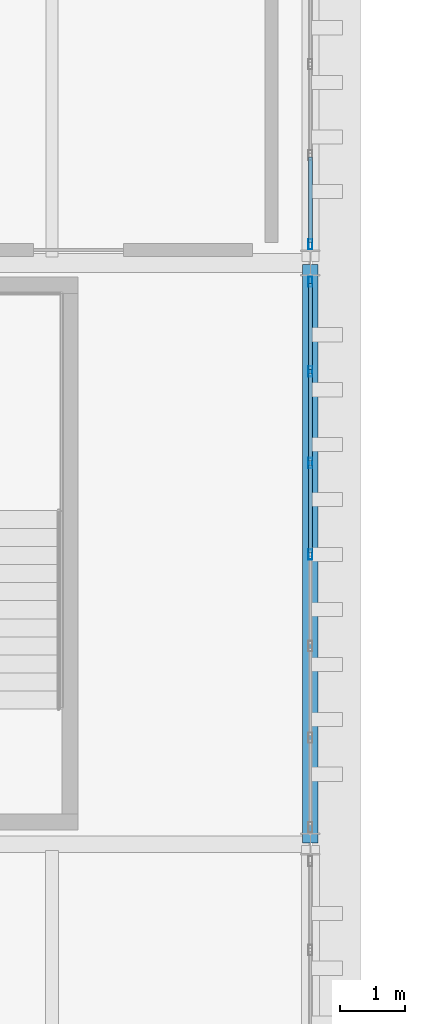
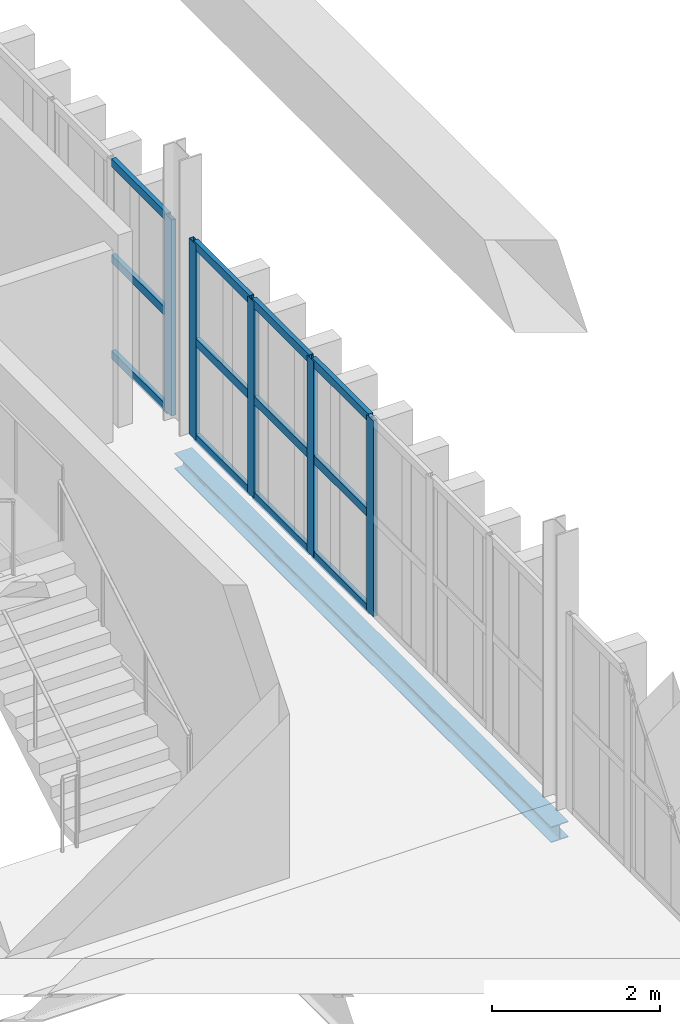
# One storey, part 52 of 102: 17 members, 1 beam, 2 elements without a shape of their own.
"""IFC4 building model written with IfcOpenShell, lengths in metres."""

from ifc_helpers import new_model, si_unit, direction, frame, origin, origin_2d, place, context, subcontext, project, spatial, hollow_rectangle, i_section, extrude, material, layer, layer_set, material_profile, profile_set, type_object, element, aggregate, save


model = new_model("IFC4")

# Units and contexts
model_context = context("Model", 3, precision=1e-05, world=origin(), true_north=direction((0.0, 1.0)))
body_context = subcontext(model_context, "Body", "Model", "MODEL_VIEW")
ifc_project = project(units=[si_unit("LENGTHUNIT", "METRE"), si_unit("AREAUNIT", "SQUARE_METRE"), si_unit("VOLUMEUNIT", "CUBIC_METRE"), si_unit("PLANEANGLEUNIT", "RADIAN"), si_unit("MASSUNIT", "GRAM", prefix="KILO")], contexts=[model_context])

# Site, building, storey
site_placement = place(None, origin())
site = spatial("IfcSite", under=ifc_project, at=site_placement, CompositionType="ELEMENT")
building_placement = place(site_placement, origin())
building = spatial("IfcBuilding", under=site, at=building_placement, Name="Barlavento Convention Centre", CompositionType="ELEMENT")
storey_placement = place(building_placement, frame((0.0, 0.0, 22.800048828125)))
storey = spatial("IfcBuildingStorey", under=building, at=storey_placement, Name="L04", CompositionType="ELEMENT", Elevation=22.800048828125)

# Curtain wall, members
ifc_material_1 = material(Name="Powder-coated aluminium and Low-E glass", Category="aluminium")
ifc_layer = layer(ifc_material_1, 0.18505859375)
ifc_layer_set = layer_set([ifc_layer], Name="ARC-CW-CONF-L04")
curtain_wall_type = type_object("IfcCurtainWallType", Name="ARC-CW-CONF-L04", PredefinedType="NOTDEFINED", material=ifc_layer_set)
curtain_wall_1_placement = place(storey_placement, origin())
curtain_wall_1 = element("IfcCurtainWall", 1, at=curtain_wall_1_placement, inside=storey, type_object=curtain_wall_type, Name="L04 unitised curtain wall CW09", PredefinedType="NOTDEFINED")
ifc_material_2 = material(Name="Powder-coated aluminium", Category="aluminium")
ifc_material_profile_1 = material_profile(ifc_material_2, hollow_rectangle(XDim=0.06005859375, YDim=0.159912109375, WallThickness=0.00390625, at=origin_2d()), Name="AL-MULL 60x160x4")
ifc_profile_set_1 = profile_set([ifc_material_profile_1], Name="Powder-coated aluminium")
member_type_1 = type_object("IfcMemberType", Name="ARC-CWM-60X160", PredefinedType="MULLION", material=ifc_profile_set_1)
member_1_placement = place(storey_placement, frame((192.0, 58.485107421875, 0.0), z_axis=(0.0, 0.0, 1.0), x_axis=(-1.0, 0.0, 0.0)))
member_1 = element("IfcMember", 2, at=member_1_placement, type_object=member_type_1, Name="CW09 mullion 4", PredefinedType="MULLION", context=body_context, shape_type="SweptSolid", body=[
    extrude(hollow_rectangle(XDim=0.06005859375, YDim=0.159912109375, WallThickness=0.00390625, at=origin_2d()), origin(), (0.0, 0.0, 1.0), 2.849853515625),
])
member_2_placement = place(storey_placement, frame((192.0, 59.9033203125, 0.0), z_axis=(0.0, 0.0, 1.0), x_axis=(-1.0, 0.0, 0.0)))
member_2 = element("IfcMember", 3, at=member_2_placement, type_object=member_type_1, Name="CW09 mullion 5", PredefinedType="MULLION", context=body_context, shape_type="SweptSolid", body=[
    extrude(hollow_rectangle(XDim=0.06005859375, YDim=0.159912109375, WallThickness=0.00390625, at=origin_2d()), origin(), (0.0, 0.0, 1.0), 2.849853515625),
])
member_3_placement = place(storey_placement, frame((192.0, 61.32177734375, 0.0), z_axis=(0.0, 0.0, 1.0), x_axis=(-1.0, 0.0, 0.0)))
member_3 = element("IfcMember", 4, at=member_3_placement, type_object=member_type_1, Name="CW09 mullion 6", PredefinedType="MULLION", context=body_context, shape_type="SweptSolid", body=[
    extrude(hollow_rectangle(XDim=0.06005859375, YDim=0.159912109375, WallThickness=0.00390625, at=origin_2d()), origin(), (0.0, 0.0, 1.0), 2.849853515625),
])
member_4_placement = place(storey_placement, frame((192.0, 62.7099609375, 0.0), z_axis=(0.0, 0.0, 1.0), x_axis=(-1.0, 0.0, 0.0)))
member_4 = element("IfcMember", 5, at=member_4_placement, type_object=member_type_1, Name="CW09 mullion 7", PredefinedType="MULLION", context=body_context, shape_type="SweptSolid", body=[
    extrude(hollow_rectangle(XDim=0.06005859375, YDim=0.159912109375, WallThickness=0.00390625, at=origin_2d()), origin(), (0.0, 0.0, 1.0), 2.849853515625),
])

# Curtain wall, member
curtain_wall_2_placement = place(storey_placement, origin())
curtain_wall_2 = element("IfcCurtainWall", 6, at=curtain_wall_2_placement, inside=storey, type_object=curtain_wall_type, Name="L04 unitised curtain wall CW09", PredefinedType="NOTDEFINED")
member_5_placement = place(storey_placement, frame((192.0, 63.2900390625, 0.0), z_axis=(0.0, 0.0, 1.0), x_axis=(-1.0, 0.0, 0.0)))
member_5 = element("IfcMember", 7, at=member_5_placement, type_object=member_type_1, Name="CW09 mullion 1", PredefinedType="MULLION", context=body_context, shape_type="SweptSolid", body=[
    extrude(hollow_rectangle(XDim=0.06005859375, YDim=0.159912109375, WallThickness=0.00390625, at=origin_2d()), origin(), (0.0, 0.0, 1.0), 2.849853515625),
])

# Member
ifc_material_profile_2 = material_profile(ifc_material_2, hollow_rectangle(XDim=0.06005859375, YDim=0.1201171875, WallThickness=0.00390625, at=origin_2d()), Name="AL-TRAN 60x120x4")
ifc_profile_set_2 = profile_set([ifc_material_profile_2], Name="Powder-coated aluminium")
member_type_2 = type_object("IfcMemberType", Name="ARC-CWT-60X120", PredefinedType="USERDEFINED", material=ifc_profile_set_2)
member_6_placement = place(storey_placement, frame((192.0, 58.514892578125, 0.030029296875), z_axis=(0.0, 1.0, 0.0), x_axis=(-1.0, 0.0, 0.0)))
member_6 = element("IfcMember", 8, at=member_6_placement, type_object=member_type_2, Name="CW09 transom 4.1", ObjectType="TRANSOM", PredefinedType="USERDEFINED", context=body_context, shape_type="SweptSolid", body=[
    extrude(hollow_rectangle(XDim=0.06005859375, YDim=0.1201171875, WallThickness=0.00390625, at=origin_2d()), origin(), (0.0, 0.0, 1.0), 1.3583984375),
])

member_7_placement = place(storey_placement, frame((192.0, 58.514892578125, 1.425048828125), z_axis=(0.0, 1.0, 0.0), x_axis=(-1.0, 0.0, 0.0)))
member_7 = element("IfcMember", 9, at=member_7_placement, type_object=member_type_2, Name="CW09 transom 4.2", ObjectType="TRANSOM", PredefinedType="USERDEFINED", context=body_context, shape_type="SweptSolid", body=[
    extrude(hollow_rectangle(XDim=0.06005859375, YDim=0.1201171875, WallThickness=0.00390625, at=origin_2d()), origin(), (0.0, 0.0, 1.0), 1.3583984375),
])

member_8_placement = place(storey_placement, frame((192.0, 58.514892578125, 2.820068359375), z_axis=(0.0, 1.0, 0.0), x_axis=(-1.0, 0.0, 0.0)))
member_8 = element("IfcMember", 10, at=member_8_placement, type_object=member_type_2, Name="CW09 transom 4.3", ObjectType="TRANSOM", PredefinedType="USERDEFINED", context=body_context, shape_type="SweptSolid", body=[
    extrude(hollow_rectangle(XDim=0.06005859375, YDim=0.1201171875, WallThickness=0.00390625, at=origin_2d()), origin(), (0.0, 0.0, 1.0), 1.3583984375),
])

member_9_placement = place(storey_placement, frame((192.0, 59.933349609375, 0.030029296875), z_axis=(0.0, 1.0, 0.0), x_axis=(-1.0, 0.0, 0.0)))
member_9 = element("IfcMember", 11, at=member_9_placement, type_object=member_type_2, Name="CW09 transom 5.1", ObjectType="TRANSOM", PredefinedType="USERDEFINED", context=body_context, shape_type="SweptSolid", body=[
    extrude(hollow_rectangle(XDim=0.06005859375, YDim=0.1201171875, WallThickness=0.00390625, at=origin_2d()), origin(), (0.0, 0.0, 1.0), 1.3583984375),
])

member_10_placement = place(storey_placement, frame((192.0, 59.933349609375, 1.425048828125), z_axis=(0.0, 1.0, 0.0), x_axis=(-1.0, 0.0, 0.0)))
member_10 = element("IfcMember", 12, at=member_10_placement, type_object=member_type_2, Name="CW09 transom 5.2", ObjectType="TRANSOM", PredefinedType="USERDEFINED", context=body_context, shape_type="SweptSolid", body=[
    extrude(hollow_rectangle(XDim=0.06005859375, YDim=0.1201171875, WallThickness=0.00390625, at=origin_2d()), origin(), (0.0, 0.0, 1.0), 1.3583984375),
])

member_11_placement = place(storey_placement, frame((192.0, 59.933349609375, 2.820068359375), z_axis=(0.0, 1.0, 0.0), x_axis=(-1.0, 0.0, 0.0)))
member_11 = element("IfcMember", 13, at=member_11_placement, type_object=member_type_2, Name="CW09 transom 5.3", ObjectType="TRANSOM", PredefinedType="USERDEFINED", context=body_context, shape_type="SweptSolid", body=[
    extrude(hollow_rectangle(XDim=0.06005859375, YDim=0.1201171875, WallThickness=0.00390625, at=origin_2d()), origin(), (0.0, 0.0, 1.0), 1.3583984375),
])

member_12_placement = place(storey_placement, frame((192.0, 61.3515625, 0.030029296875), z_axis=(0.0, 1.0, 0.0), x_axis=(-1.0, 0.0, 0.0)))
member_12 = element("IfcMember", 14, at=member_12_placement, type_object=member_type_2, Name="CW09 transom 6.1", ObjectType="TRANSOM", PredefinedType="USERDEFINED", context=body_context, shape_type="SweptSolid", body=[
    extrude(hollow_rectangle(XDim=0.06005859375, YDim=0.1201171875, WallThickness=0.00390625, at=origin_2d()), origin(), (0.0, 0.0, 1.0), 1.328369140625),
])

member_13_placement = place(storey_placement, frame((192.0, 61.3515625, 1.425048828125), z_axis=(0.0, 1.0, 0.0), x_axis=(-1.0, 0.0, 0.0)))
member_13 = element("IfcMember", 15, at=member_13_placement, type_object=member_type_2, Name="CW09 transom 6.2", ObjectType="TRANSOM", PredefinedType="USERDEFINED", context=body_context, shape_type="SweptSolid", body=[
    extrude(hollow_rectangle(XDim=0.06005859375, YDim=0.1201171875, WallThickness=0.00390625, at=origin_2d()), origin(), (0.0, 0.0, 1.0), 1.328369140625),
])

member_14_placement = place(storey_placement, frame((192.0, 61.3515625, 2.820068359375), z_axis=(0.0, 1.0, 0.0), x_axis=(-1.0, 0.0, 0.0)))
member_14 = element("IfcMember", 16, at=member_14_placement, type_object=member_type_2, Name="CW09 transom 6.3", ObjectType="TRANSOM", PredefinedType="USERDEFINED", context=body_context, shape_type="SweptSolid", body=[
    extrude(hollow_rectangle(XDim=0.06005859375, YDim=0.1201171875, WallThickness=0.00390625, at=origin_2d()), origin(), (0.0, 0.0, 1.0), 1.328369140625),
])

aggregate(curtain_wall_1, [member_1, member_2, member_3, member_4, member_6, member_7, member_8, member_9, member_10, member_11, member_12, member_13, member_14])

member_15_placement = place(storey_placement, frame((192.0, 63.320068359375, 0.030029296875), z_axis=(0.0, 1.0, 0.0), x_axis=(-1.0, 0.0, 0.0)))
member_15 = element("IfcMember", 17, at=member_15_placement, type_object=member_type_2, Name="CW09 transom 1.1", ObjectType="TRANSOM", PredefinedType="USERDEFINED", context=body_context, shape_type="SweptSolid", body=[
    extrude(hollow_rectangle(XDim=0.06005859375, YDim=0.1201171875, WallThickness=0.00390625, at=origin_2d()), origin(), (0.0, 0.0, 1.0), 1.319091796875),
])

member_16_placement = place(storey_placement, frame((192.0, 63.320068359375, 1.425048828125), z_axis=(0.0, 1.0, 0.0), x_axis=(-1.0, 0.0, 0.0)))
member_16 = element("IfcMember", 18, at=member_16_placement, type_object=member_type_2, Name="CW09 transom 1.2", ObjectType="TRANSOM", PredefinedType="USERDEFINED", context=body_context, shape_type="SweptSolid", body=[
    extrude(hollow_rectangle(XDim=0.06005859375, YDim=0.1201171875, WallThickness=0.00390625, at=origin_2d()), origin(), (0.0, 0.0, 1.0), 1.319091796875),
])

member_17_placement = place(storey_placement, frame((192.0, 63.320068359375, 2.820068359375), z_axis=(0.0, 1.0, 0.0), x_axis=(-1.0, 0.0, 0.0)))
member_17 = element("IfcMember", 19, at=member_17_placement, type_object=member_type_2, Name="CW09 transom 1.3", ObjectType="TRANSOM", PredefinedType="USERDEFINED", context=body_context, shape_type="SweptSolid", body=[
    extrude(hollow_rectangle(XDim=0.06005859375, YDim=0.1201171875, WallThickness=0.00390625, at=origin_2d()), origin(), (0.0, 0.0, 1.0), 1.319091796875),
])

aggregate(curtain_wall_2, [member_5, member_15, member_16, member_17])

# Beam
ifc_material_3 = material(Name="Steel S355", Category="steel")
ifc_material_profile_3 = material_profile(ifc_material_3, i_section(OverallWidth=0.239990234375, OverallDepth=0.22998046875, WebThickness=0.007568359375, FlangeThickness=0.011962890625, FilletRadius=0.02099609375, at=origin_2d()), Name="HEA 240")
ifc_profile_set_3 = profile_set([ifc_material_profile_3], Name="Steel S355")
beam_type = type_object("IfcBeamType", Name="STR-BM-SPN-HEA240", PredefinedType="SPANDREL", material=ifc_profile_set_3)
beam_placement = place(storey_placement, frame((192.0, 54.02001953125, -0.47509765625), z_axis=(0.0, 1.0, 0.0), x_axis=(-1.0, 0.0, 0.0)))
element("IfcBeam", 20, at=beam_placement, inside=storey, type_object=beam_type, Name="L04 grid girder SP05", PredefinedType="SPANDREL", context=body_context, shape_type="SweptSolid", body=[
    extrude(i_section(OverallWidth=0.239990234375, OverallDepth=0.22998046875, WebThickness=0.007568359375, FlangeThickness=0.011962890625, FilletRadius=0.02099609375, at=origin_2d()), origin(), (0.0, 0.0, 1.0), 8.9599609375),
])

save(model, "model.ifc")
